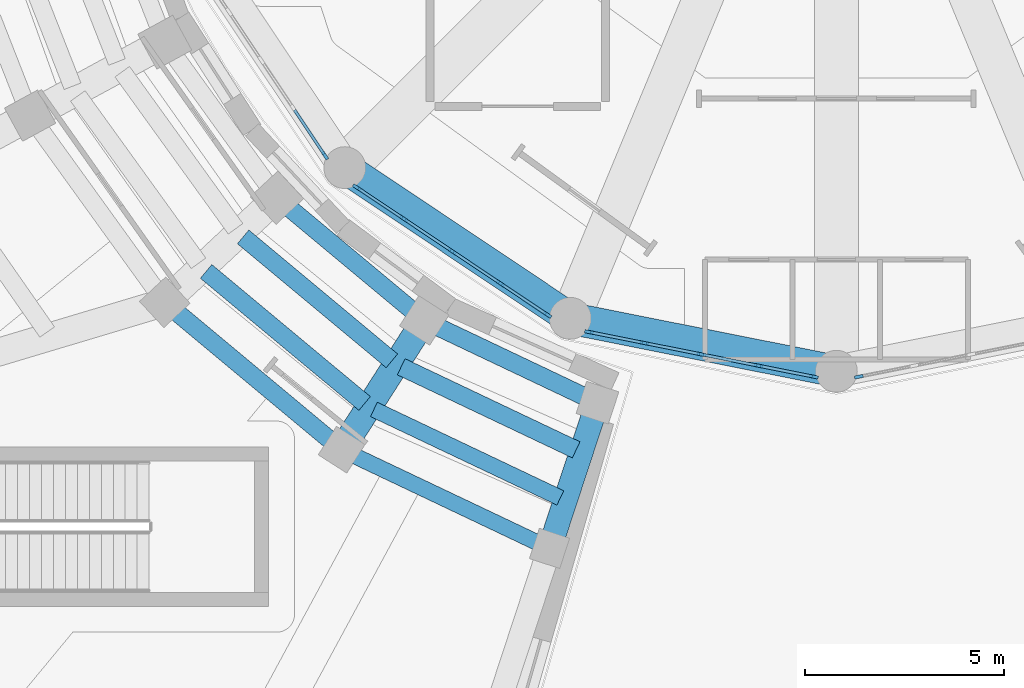
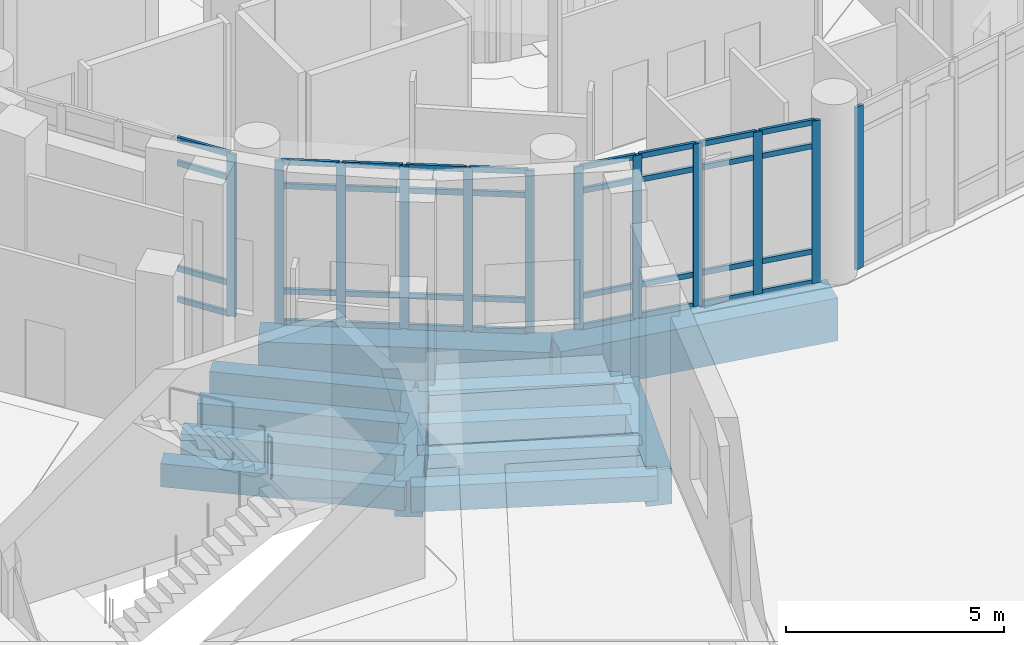
# One storey, part 13 of 74: 48 members, 12 beams, 4 elements without a shape of their own.
"""IFC4 building model written with IfcOpenShell, lengths in metres."""

from ifc_helpers import new_model, si_unit, direction, frame, origin, origin_2d, place, context, subcontext, project, spatial, rectangle, extrude, material, material_profile, profile_set, type_object, element, aggregate, save


model = new_model("IFC4")

# Units and contexts
model_context = context("Model", 3, precision=1e-05, world=origin(), true_north=direction((0.0, 1.0)))
body_context = subcontext(model_context, "Body", "Model", "MODEL_VIEW")
ifc_project = project(units=[si_unit("LENGTHUNIT", "METRE"), si_unit("AREAUNIT", "SQUARE_METRE"), si_unit("VOLUMEUNIT", "CUBIC_METRE"), si_unit("PLANEANGLEUNIT", "RADIAN"), si_unit("MASSUNIT", "GRAM", prefix="KILO")], contexts=[model_context])

# Site, building, storey
site_placement = place(None, origin())
site = spatial("IfcSite", under=ifc_project, at=site_placement, CompositionType="ELEMENT")
building_placement = place(site_placement, origin())
building = spatial("IfcBuilding", under=site, at=building_placement, Name="Soyqirgoq Riverine Aquarium", CompositionType="ELEMENT")
storey_placement = place(building_placement, origin())
storey = spatial("IfcBuildingStorey", under=building, at=storey_placement, Name="L01", CompositionType="ELEMENT", Elevation=0.0)

# Beams
ifc_material_1 = material(Name="Concrete C40/50", Category="concrete")
ifc_material_profile_1 = material_profile(ifc_material_1, rectangle(XDim=0.39990234375, YDim=0.699951171875, at=origin_2d()), Name="RC 400x700")
ifc_profile_set_1 = profile_set([ifc_material_profile_1], Name="Concrete C40/50")
beam_type_1 = type_object("IfcBeamType", Name="Beam_RC_400x700", PredefinedType="BEAM", material=ifc_profile_set_1)
beam_1_placement = place(storey_placement, frame((44.392333984375, 38.591796875, -0.699951171875), z_axis=(0.903330475339, -0.428945278939, 0.0), x_axis=(0.428945278939, 0.903330475339, 0.0)))
element("IfcBeam", 1, at=beam_1_placement, inside=storey, type_object=beam_type_1, Name="V2 L01 Secondary Floor Joist 0200", PredefinedType="BEAM", context=body_context, shape_type="SweptSolid", body=[
    extrude(rectangle(XDim=0.39990234375, YDim=0.699951171875, at=origin_2d()), origin(), (0.0, 0.0, 1.0), 5.179443359375),
])
beam_2_placement = place(storey_placement, frame((43.62646484375, 37.56005859375, -0.699951171875), z_axis=(0.903332071495, -0.428941917523, 0.0), x_axis=(0.428941917523, 0.903332071495, 0.0)))
element("IfcBeam", 2, at=beam_2_placement, inside=storey, type_object=beam_type_1, Name="V2 L01 Wedge Chord Beam 0204", PredefinedType="BEAM", context=body_context, shape_type="SweptSolid", body=[
    extrude(rectangle(XDim=0.39990234375, YDim=0.699951171875, at=origin_2d()), origin(), (0.0, 0.0, 1.0), 5.677978515625),
])
ifc_material_2 = material(Name="Concrete C40/50", Category="concrete")
ifc_material_profile_2 = material_profile(ifc_material_2, rectangle(XDim=0.449951171875, YDim=0.64990234375, at=origin_2d()), Name="RC 450x650")
ifc_profile_set_2 = profile_set([ifc_material_profile_2], Name="Concrete C40/50")
beam_type_2 = type_object("IfcBeamType", Name="Beam_RC_450x650", PredefinedType="BEAM", material=ifc_profile_set_2)
beam_3_placement = place(storey_placement, frame((45.70068359375, 40.803466796875, -0.675048828125), z_axis=(0.903338728756, -0.428927897356, 0.0), x_axis=(0.428927897356, 0.903338728756, 0.0)))
element("IfcBeam", 3, at=beam_3_placement, inside=storey, type_object=beam_type_2, Name="V2 L01 Wedge Chord Beam 0192", PredefinedType="BEAM", context=body_context, shape_type="SweptSolid", body=[
    extrude(rectangle(XDim=0.449951171875, YDim=0.64990234375, at=origin_2d()), origin(), (0.0, 0.0, 1.0), 4.712890625),
])
beam_4_placement = place(storey_placement, frame((40.178955078125, 42.056884765625, -0.675048828125), z_axis=(0.76827923127, -0.640114851257, 0.0), x_axis=(0.640114851257, 0.76827923127, 0.0)))
element("IfcBeam", 4, at=beam_4_placement, inside=storey, type_object=beam_type_2, Name="V2 L01 Secondary Floor Joist 0198", PredefinedType="BEAM", context=body_context, shape_type="SweptSolid", body=[
    extrude(rectangle(XDim=0.449951171875, YDim=0.64990234375, at=origin_2d()), origin(), (0.0, 0.0, 1.0), 5.179443359375),
])
beam_5_placement = place(storey_placement, frame((45.076904296875, 39.662109375, -0.675048828125), z_axis=(0.903323240937, -0.42896051378, 0.0), x_axis=(0.42896051378, 0.903323240937, 0.0)))
element("IfcBeam", 5, at=beam_5_placement, inside=storey, type_object=beam_type_2, Name="V2 L01 Secondary Floor Joist 0199", PredefinedType="BEAM", context=body_context, shape_type="SweptSolid", body=[
    extrude(rectangle(XDim=0.449951171875, YDim=0.64990234375, at=origin_2d()), origin(), (0.0, 0.0, 1.0), 4.861083984375),
])
beam_6_placement = place(storey_placement, frame((39.1806640625, 41.247802734375, -0.675048828125), z_axis=(0.768305861058, -0.640082888276, 0.0), x_axis=(0.640082888276, 0.768305861058, 0.0)))
element("IfcBeam", 6, at=beam_6_placement, inside=storey, type_object=beam_type_2, Name="V2 L01 Wedge Chord Beam 0203", PredefinedType="BEAM", context=body_context, shape_type="SweptSolid", body=[
    extrude(rectangle(XDim=0.449951171875, YDim=0.64990234375, at=origin_2d()), origin(), (0.0, 0.0, 1.0), 5.677734375),
])
ifc_material_3 = material(Name="Concrete C40/50", Category="concrete")
ifc_material_profile_3 = material_profile(ifc_material_3, rectangle(XDim=0.449951171875, YDim=0.699951171875, at=origin_2d()), Name="RC 450x700")
ifc_profile_set_3 = profile_set([ifc_material_profile_3], Name="Concrete C40/50")
beam_type_3 = type_object("IfcBeamType", Name="Beam_RC_450x700", PredefinedType="BEAM", material=ifc_profile_set_3)
beam_7_placement = place(storey_placement, frame((41.996337890625, 43.87353515625, -0.699951171875), z_axis=(0.768301951525, -0.640087580948, 0.0), x_axis=(0.640087580948, 0.768301951525, 0.0)))
element("IfcBeam", 7, at=beam_7_placement, inside=storey, type_object=beam_type_3, Name="V2 L01 Wedge Chord Beam 0191", PredefinedType="BEAM", context=body_context, shape_type="SweptSolid", body=[
    extrude(rectangle(XDim=0.449951171875, YDim=0.699951171875, at=origin_2d()), origin(), (0.0, 0.0, 1.0), 4.712890625),
])
beam_8_placement = place(storey_placement, frame((41.108154296875, 42.923095703125, -0.699951171875), z_axis=(0.76830772725, -0.640080648237, 0.0), x_axis=(0.640080648237, 0.76830772725, 0.0)))
element("IfcBeam", 8, at=beam_8_placement, inside=storey, type_object=beam_type_3, Name="V2 L01 Secondary Floor Joist 0197", PredefinedType="BEAM", context=body_context, shape_type="SweptSolid", body=[
    extrude(rectangle(XDim=0.449951171875, YDim=0.699951171875, at=origin_2d()), origin(), (0.0, 0.0, 1.0), 4.86083984375),
])

# Curtain wall, member
ifc_material_4 = material(Name="Anodised aluminium thermally broken triple low-E glazing", Category="aluminium")
curtain_wall_type = type_object("IfcCurtainWallType", Name="CW_DrumGallery_Unitised", PredefinedType="NOTDEFINED", material=ifc_material_4)
curtain_wall_1_placement = place(storey_placement, origin())
curtain_wall_1 = element("IfcCurtainWall", 9, at=curtain_wall_1_placement, inside=storey, type_object=curtain_wall_type, Name="V1 L01 Curtain Wall 034", PredefinedType="NOTDEFINED")
ifc_material_5 = material(Name="Anodised aluminium 6063-T6", Category="aluminium")
ifc_material_profile_4 = material_profile(ifc_material_5, rectangle(XDim=0.080078125, YDim=0.219970703125, at=origin_2d()), Name="ALU-M 80x220")
ifc_profile_set_4 = profile_set([ifc_material_profile_4], Name="Anodised aluminium 6063-T6")
member_type_1 = type_object("IfcMemberType", Name="CWMullion_80x220", PredefinedType="MULLION", material=ifc_profile_set_4)
member_1_placement = place(storey_placement, frame((43.164794921875, 44.962158203125, 0.0), z_axis=(0.0, 0.0, 1.0), x_axis=(0.831467275509, 0.555573730262, 0.0)))
member_1 = element("IfcMember", 10, at=member_1_placement, type_object=member_type_1, Name="CW-01 mullion 5", PredefinedType="MULLION", context=body_context, shape_type="SweptSolid", body=[
    extrude(rectangle(XDim=0.080078125, YDim=0.219970703125, at=origin_2d()), origin(), (0.0, 0.0, 1.0), 4.550048828125),
])

# Curtain wall, members
curtain_wall_2_placement = place(storey_placement, origin())
curtain_wall_2 = element("IfcCurtainWall", 11, at=curtain_wall_2_placement, inside=storey, type_object=curtain_wall_type, Name="V1 L01 Curtain Wall 041", PredefinedType="NOTDEFINED")
member_2_placement = place(storey_placement, frame((43.962158203125, 44.164794921875, 0.0), z_axis=(0.0, 0.0, 1.0), x_axis=(0.555573730262, 0.831467275509, 0.0)))
member_2 = element("IfcMember", 12, at=member_2_placement, type_object=member_type_1, Name="CW-01 mullion 1", PredefinedType="MULLION", context=body_context, shape_type="SweptSolid", body=[
    extrude(rectangle(XDim=0.080078125, YDim=0.219970703125, at=origin_2d()), origin(), (0.0, 0.0, 1.0), 4.550048828125),
])
member_3_placement = place(storey_placement, frame((45.14208984375, 43.37646484375, 0.0), z_axis=(0.0, 0.0, 1.0), x_axis=(0.555573730262, 0.831467275509, 0.0)))
member_3 = element("IfcMember", 13, at=member_3_placement, type_object=member_type_1, Name="CW-01 mullion 2", PredefinedType="MULLION", context=body_context, shape_type="SweptSolid", body=[
    extrude(rectangle(XDim=0.080078125, YDim=0.219970703125, at=origin_2d()), origin(), (0.0, 0.0, 1.0), 4.550048828125),
])
member_4_placement = place(storey_placement, frame((46.35546875, 42.565673828125, 0.0), z_axis=(0.0, 0.0, 1.0), x_axis=(0.555573730262, 0.831467275509, 0.0)))
member_4 = element("IfcMember", 14, at=member_4_placement, type_object=member_type_1, Name="CW-01 mullion 3", PredefinedType="MULLION", context=body_context, shape_type="SweptSolid", body=[
    extrude(rectangle(XDim=0.080078125, YDim=0.219970703125, at=origin_2d()), origin(), (0.0, 0.0, 1.0), 4.550048828125),
])
member_5_placement = place(storey_placement, frame((47.568603515625, 41.755126953125, 0.0), z_axis=(0.0, 0.0, 1.0), x_axis=(0.555573730262, 0.831467275509, 0.0)))
member_5 = element("IfcMember", 15, at=member_5_placement, type_object=member_type_1, Name="CW-01 mullion 4", PredefinedType="MULLION", context=body_context, shape_type="SweptSolid", body=[
    extrude(rectangle(XDim=0.080078125, YDim=0.219970703125, at=origin_2d()), origin(), (0.0, 0.0, 1.0), 4.550048828125),
])
member_6_placement = place(storey_placement, frame((48.74853515625, 40.966796875, 0.0), z_axis=(0.0, 0.0, 1.0), x_axis=(0.555573730262, 0.831467275509, 0.0)))
member_6 = element("IfcMember", 16, at=member_6_placement, type_object=member_type_1, Name="CW-01 mullion 5", PredefinedType="MULLION", context=body_context, shape_type="SweptSolid", body=[
    extrude(rectangle(XDim=0.080078125, YDim=0.219970703125, at=origin_2d()), origin(), (0.0, 0.0, 1.0), 4.550048828125),
])

curtain_wall_3_placement = place(storey_placement, origin())
curtain_wall_3 = element("IfcCurtainWall", 17, at=curtain_wall_3_placement, inside=storey, type_object=curtain_wall_type, Name="V1 L01 Curtain Wall 048", PredefinedType="NOTDEFINED")
member_7_placement = place(storey_placement, frame((49.79052734375, 40.53515625, 0.0), z_axis=(0.0, 0.0, 1.0), x_axis=(0.195074782196, 0.980788371338, 0.0)))
member_7 = element("IfcMember", 18, at=member_7_placement, type_object=member_type_1, Name="CW-01 mullion 1", PredefinedType="MULLION", context=body_context, shape_type="SweptSolid", body=[
    extrude(rectangle(XDim=0.080078125, YDim=0.219970703125, at=origin_2d()), origin(), (0.0, 0.0, 1.0), 4.550048828125),
])
member_8_placement = place(storey_placement, frame((51.18212890625, 40.25830078125, 0.0), z_axis=(0.0, 0.0, 1.0), x_axis=(0.195074782196, 0.980788371338, 0.0)))
member_8 = element("IfcMember", 19, at=member_8_placement, type_object=member_type_1, Name="CW-01 mullion 2", PredefinedType="MULLION", context=body_context, shape_type="SweptSolid", body=[
    extrude(rectangle(XDim=0.080078125, YDim=0.219970703125, at=origin_2d()), origin(), (0.0, 0.0, 1.0), 4.550048828125),
])
member_9_placement = place(storey_placement, frame((52.61328125, 39.9736328125, 0.0), z_axis=(0.0, 0.0, 1.0), x_axis=(0.195074782196, 0.980788371338, 0.0)))
member_9 = element("IfcMember", 20, at=member_9_placement, type_object=member_type_1, Name="CW-01 mullion 3", PredefinedType="MULLION", context=body_context, shape_type="SweptSolid", body=[
    extrude(rectangle(XDim=0.080078125, YDim=0.219970703125, at=origin_2d()), origin(), (0.0, 0.0, 1.0), 4.550048828125),
])
member_10_placement = place(storey_placement, frame((54.044189453125, 39.68896484375, 0.0), z_axis=(0.0, 0.0, 1.0), x_axis=(0.195074782196, 0.980788371338, 0.0)))
member_10 = element("IfcMember", 21, at=member_10_placement, type_object=member_type_1, Name="CW-01 mullion 4", PredefinedType="MULLION", context=body_context, shape_type="SweptSolid", body=[
    extrude(rectangle(XDim=0.080078125, YDim=0.219970703125, at=origin_2d()), origin(), (0.0, 0.0, 1.0), 4.550048828125),
])
member_11_placement = place(storey_placement, frame((55.43603515625, 39.412109375, 0.0), z_axis=(0.0, 0.0, 1.0), x_axis=(0.195074782196, 0.980788371338, 0.0)))
member_11 = element("IfcMember", 22, at=member_11_placement, type_object=member_type_1, Name="CW-01 mullion 5", PredefinedType="MULLION", context=body_context, shape_type="SweptSolid", body=[
    extrude(rectangle(XDim=0.080078125, YDim=0.219970703125, at=origin_2d()), origin(), (0.0, 0.0, 1.0), 4.550048828125),
])

# Curtain wall, member
curtain_wall_4_placement = place(storey_placement, origin())
curtain_wall_4 = element("IfcCurtainWall", 23, at=curtain_wall_4_placement, inside=storey, type_object=curtain_wall_type, Name="V1 L01 Curtain Wall 055", PredefinedType="NOTDEFINED")
member_12_placement = place(storey_placement, frame((56.56396484375, 39.412109375, 0.0), z_axis=(0.0, 0.0, 1.0), x_axis=(-0.195074782196, 0.980788371338, 0.0)))
member_12 = element("IfcMember", 24, at=member_12_placement, type_object=member_type_1, Name="CW-01 mullion 1", PredefinedType="MULLION", context=body_context, shape_type="SweptSolid", body=[
    extrude(rectangle(XDim=0.080078125, YDim=0.219970703125, at=origin_2d()), origin(), (0.0, 0.0, 1.0), 4.550048828125),
])
aggregate(curtain_wall_4, [member_12])

# Member
ifc_material_6 = material(Name="Anodised aluminium 6063-T6", Category="aluminium")
ifc_material_profile_5 = material_profile(ifc_material_6, rectangle(XDim=0.074951171875, YDim=0.14990234375, at=origin_2d()), Name="ALU-T 75x150")
ifc_profile_set_5 = profile_set([ifc_material_profile_5], Name="Anodised aluminium 6063-T6")
member_type_2 = type_object("IfcMemberType", Name="CWTransom_75x150", PredefinedType="USERDEFINED", material=ifc_profile_set_5)
member_13_placement = place(storey_placement, frame((42.398681640625, 46.10888671875, 0.03759765625), z_axis=(0.555583520837, -0.831460733513, 0.0), x_axis=(0.831460733513, 0.555583520837, 0.0)))
member_13 = element("IfcMember", 25, at=member_13_placement, type_object=member_type_2, Name="CW-01 transom 4.1", ObjectType="TRANSOM", PredefinedType="USERDEFINED", context=body_context, shape_type="SweptSolid", body=[
    extrude(rectangle(XDim=0.074951171875, YDim=0.14990234375, at=origin_2d()), origin(), (0.0, 0.0, 1.0), 1.3388671875),
])

member_14_placement = place(storey_placement, frame((42.398681640625, 46.10888671875, 0.89990234375), z_axis=(0.555583520837, -0.831460733513, 0.0), x_axis=(0.831460733513, 0.555583520837, 0.0)))
member_14 = element("IfcMember", 26, at=member_14_placement, type_object=member_type_2, Name="CW-01 transom 4.2", ObjectType="TRANSOM", PredefinedType="USERDEFINED", context=body_context, shape_type="SweptSolid", body=[
    extrude(rectangle(XDim=0.074951171875, YDim=0.14990234375, at=origin_2d()), origin(), (0.0, 0.0, 1.0), 1.3388671875),
])

member_15_placement = place(storey_placement, frame((42.398681640625, 46.10888671875, 3.85009765625), z_axis=(0.555583520837, -0.831460733513, 0.0), x_axis=(0.831460733513, 0.555583520837, 0.0)))
member_15 = element("IfcMember", 27, at=member_15_placement, type_object=member_type_2, Name="CW-01 transom 4.3", ObjectType="TRANSOM", PredefinedType="USERDEFINED", context=body_context, shape_type="SweptSolid", body=[
    extrude(rectangle(XDim=0.074951171875, YDim=0.14990234375, at=origin_2d()), origin(), (0.0, 0.0, 1.0), 1.3388671875),
])

member_16_placement = place(storey_placement, frame((42.398681640625, 46.10888671875, 4.512451171875), z_axis=(0.555583520837, -0.831460733513, 0.0), x_axis=(0.831460733513, 0.555583520837, 0.0)))
member_16 = element("IfcMember", 28, at=member_16_placement, type_object=member_type_2, Name="CW-01 transom 4.4", ObjectType="TRANSOM", PredefinedType="USERDEFINED", context=body_context, shape_type="SweptSolid", body=[
    extrude(rectangle(XDim=0.074951171875, YDim=0.14990234375, at=origin_2d()), origin(), (0.0, 0.0, 1.0), 1.3388671875),
])

aggregate(curtain_wall_1, [member_1, member_13, member_14, member_15, member_16])

member_17_placement = place(storey_placement, frame((43.99560546875, 44.142578125, 0.03759765625), z_axis=(0.831460733513, -0.555583520837, 0.0), x_axis=(0.555583520837, 0.831460733513, 0.0)))
member_17 = element("IfcMember", 29, at=member_17_placement, type_object=member_type_2, Name="CW-01 transom 1.1", ObjectType="TRANSOM", PredefinedType="USERDEFINED", context=body_context, shape_type="SweptSolid", body=[
    extrude(rectangle(XDim=0.074951171875, YDim=0.14990234375, at=origin_2d()), origin(), (0.0, 0.0, 1.0), 1.3388671875),
])

member_18_placement = place(storey_placement, frame((43.99560546875, 44.142578125, 0.89990234375), z_axis=(0.831460733513, -0.555583520837, 0.0), x_axis=(0.555583520837, 0.831460733513, 0.0)))
member_18 = element("IfcMember", 30, at=member_18_placement, type_object=member_type_2, Name="CW-01 transom 1.2", ObjectType="TRANSOM", PredefinedType="USERDEFINED", context=body_context, shape_type="SweptSolid", body=[
    extrude(rectangle(XDim=0.074951171875, YDim=0.14990234375, at=origin_2d()), origin(), (0.0, 0.0, 1.0), 1.3388671875),
])

member_19_placement = place(storey_placement, frame((43.99560546875, 44.142578125, 3.85009765625), z_axis=(0.831460733513, -0.555583520837, 0.0), x_axis=(0.555583520837, 0.831460733513, 0.0)))
member_19 = element("IfcMember", 31, at=member_19_placement, type_object=member_type_2, Name="CW-01 transom 1.3", ObjectType="TRANSOM", PredefinedType="USERDEFINED", context=body_context, shape_type="SweptSolid", body=[
    extrude(rectangle(XDim=0.074951171875, YDim=0.14990234375, at=origin_2d()), origin(), (0.0, 0.0, 1.0), 1.3388671875),
])

member_20_placement = place(storey_placement, frame((43.99560546875, 44.142578125, 4.512451171875), z_axis=(0.831460733513, -0.555583520837, 0.0), x_axis=(0.555583520837, 0.831460733513, 0.0)))
member_20 = element("IfcMember", 32, at=member_20_placement, type_object=member_type_2, Name="CW-01 transom 1.4", ObjectType="TRANSOM", PredefinedType="USERDEFINED", context=body_context, shape_type="SweptSolid", body=[
    extrude(rectangle(XDim=0.074951171875, YDim=0.14990234375, at=origin_2d()), origin(), (0.0, 0.0, 1.0), 1.3388671875),
])

member_21_placement = place(storey_placement, frame((45.175537109375, 43.354248046875, 0.03759765625), z_axis=(0.831368753456, -0.555721149297, 0.0), x_axis=(0.555721149297, 0.831368753456, 0.0)))
member_21 = element("IfcMember", 33, at=member_21_placement, type_object=member_type_2, Name="CW-01 transom 2.1", ObjectType="TRANSOM", PredefinedType="USERDEFINED", context=body_context, shape_type="SweptSolid", body=[
    extrude(rectangle(XDim=0.074951171875, YDim=0.14990234375, at=origin_2d()), origin(), (0.0, 0.0, 1.0), 1.379150390625),
])

member_22_placement = place(storey_placement, frame((45.175537109375, 43.354248046875, 0.89990234375), z_axis=(0.831368753456, -0.555721149297, 0.0), x_axis=(0.555721149297, 0.831368753456, 0.0)))
member_22 = element("IfcMember", 34, at=member_22_placement, type_object=member_type_2, Name="CW-01 transom 2.2", ObjectType="TRANSOM", PredefinedType="USERDEFINED", context=body_context, shape_type="SweptSolid", body=[
    extrude(rectangle(XDim=0.074951171875, YDim=0.14990234375, at=origin_2d()), origin(), (0.0, 0.0, 1.0), 1.379150390625),
])

member_23_placement = place(storey_placement, frame((45.175537109375, 43.354248046875, 3.85009765625), z_axis=(0.831368753456, -0.555721149297, 0.0), x_axis=(0.555721149297, 0.831368753456, 0.0)))
member_23 = element("IfcMember", 35, at=member_23_placement, type_object=member_type_2, Name="CW-01 transom 2.3", ObjectType="TRANSOM", PredefinedType="USERDEFINED", context=body_context, shape_type="SweptSolid", body=[
    extrude(rectangle(XDim=0.074951171875, YDim=0.14990234375, at=origin_2d()), origin(), (0.0, 0.0, 1.0), 1.379150390625),
])

member_24_placement = place(storey_placement, frame((45.175537109375, 43.354248046875, 4.512451171875), z_axis=(0.831368753456, -0.555721149297, 0.0), x_axis=(0.555721149297, 0.831368753456, 0.0)))
member_24 = element("IfcMember", 36, at=member_24_placement, type_object=member_type_2, Name="CW-01 transom 2.4", ObjectType="TRANSOM", PredefinedType="USERDEFINED", context=body_context, shape_type="SweptSolid", body=[
    extrude(rectangle(XDim=0.074951171875, YDim=0.14990234375, at=origin_2d()), origin(), (0.0, 0.0, 1.0), 1.379150390625),
])

member_25_placement = place(storey_placement, frame((46.388671875, 42.54345703125, 0.03759765625), z_axis=(0.831450545515, -0.555598767424, 0.0), x_axis=(0.555598767424, 0.831450545515, 0.0)))
member_25 = element("IfcMember", 37, at=member_25_placement, type_object=member_type_2, Name="CW-01 transom 3.1", ObjectType="TRANSOM", PredefinedType="USERDEFINED", context=body_context, shape_type="SweptSolid", body=[
    extrude(rectangle(XDim=0.074951171875, YDim=0.14990234375, at=origin_2d()), origin(), (0.0, 0.0, 1.0), 1.37890625),
])

member_26_placement = place(storey_placement, frame((46.388671875, 42.54345703125, 0.89990234375), z_axis=(0.831450545515, -0.555598767424, 0.0), x_axis=(0.555598767424, 0.831450545515, 0.0)))
member_26 = element("IfcMember", 38, at=member_26_placement, type_object=member_type_2, Name="CW-01 transom 3.2", ObjectType="TRANSOM", PredefinedType="USERDEFINED", context=body_context, shape_type="SweptSolid", body=[
    extrude(rectangle(XDim=0.074951171875, YDim=0.14990234375, at=origin_2d()), origin(), (0.0, 0.0, 1.0), 1.37890625),
])

member_27_placement = place(storey_placement, frame((46.388671875, 42.54345703125, 3.85009765625), z_axis=(0.831450545515, -0.555598767424, 0.0), x_axis=(0.555598767424, 0.831450545515, 0.0)))
member_27 = element("IfcMember", 39, at=member_27_placement, type_object=member_type_2, Name="CW-01 transom 3.3", ObjectType="TRANSOM", PredefinedType="USERDEFINED", context=body_context, shape_type="SweptSolid", body=[
    extrude(rectangle(XDim=0.074951171875, YDim=0.14990234375, at=origin_2d()), origin(), (0.0, 0.0, 1.0), 1.37890625),
])

member_28_placement = place(storey_placement, frame((46.388671875, 42.54345703125, 4.512451171875), z_axis=(0.831450545515, -0.555598767424, 0.0), x_axis=(0.555598767424, 0.831450545515, 0.0)))
member_28 = element("IfcMember", 40, at=member_28_placement, type_object=member_type_2, Name="CW-01 transom 3.4", ObjectType="TRANSOM", PredefinedType="USERDEFINED", context=body_context, shape_type="SweptSolid", body=[
    extrude(rectangle(XDim=0.074951171875, YDim=0.14990234375, at=origin_2d()), origin(), (0.0, 0.0, 1.0), 1.37890625),
])

member_29_placement = place(storey_placement, frame((47.601806640625, 41.73291015625, 0.03759765625), z_axis=(0.831460733513, -0.555583520837, 0.0), x_axis=(0.555583520837, 0.831460733513, 0.0)))
member_29 = element("IfcMember", 41, at=member_29_placement, type_object=member_type_2, Name="CW-01 transom 4.1", ObjectType="TRANSOM", PredefinedType="USERDEFINED", context=body_context, shape_type="SweptSolid", body=[
    extrude(rectangle(XDim=0.074951171875, YDim=0.14990234375, at=origin_2d()), origin(), (0.0, 0.0, 1.0), 1.3388671875),
])

member_30_placement = place(storey_placement, frame((47.601806640625, 41.73291015625, 0.89990234375), z_axis=(0.831460733513, -0.555583520837, 0.0), x_axis=(0.555583520837, 0.831460733513, 0.0)))
member_30 = element("IfcMember", 42, at=member_30_placement, type_object=member_type_2, Name="CW-01 transom 4.2", ObjectType="TRANSOM", PredefinedType="USERDEFINED", context=body_context, shape_type="SweptSolid", body=[
    extrude(rectangle(XDim=0.074951171875, YDim=0.14990234375, at=origin_2d()), origin(), (0.0, 0.0, 1.0), 1.3388671875),
])

member_31_placement = place(storey_placement, frame((47.601806640625, 41.73291015625, 3.85009765625), z_axis=(0.831460733513, -0.555583520837, 0.0), x_axis=(0.555583520837, 0.831460733513, 0.0)))
member_31 = element("IfcMember", 43, at=member_31_placement, type_object=member_type_2, Name="CW-01 transom 4.3", ObjectType="TRANSOM", PredefinedType="USERDEFINED", context=body_context, shape_type="SweptSolid", body=[
    extrude(rectangle(XDim=0.074951171875, YDim=0.14990234375, at=origin_2d()), origin(), (0.0, 0.0, 1.0), 1.3388671875),
])

member_32_placement = place(storey_placement, frame((47.601806640625, 41.73291015625, 4.512451171875), z_axis=(0.831460733513, -0.555583520837, 0.0), x_axis=(0.555583520837, 0.831460733513, 0.0)))
member_32 = element("IfcMember", 44, at=member_32_placement, type_object=member_type_2, Name="CW-01 transom 4.4", ObjectType="TRANSOM", PredefinedType="USERDEFINED", context=body_context, shape_type="SweptSolid", body=[
    extrude(rectangle(XDim=0.074951171875, YDim=0.14990234375, at=origin_2d()), origin(), (0.0, 0.0, 1.0), 1.3388671875),
])

aggregate(curtain_wall_2, [member_2, member_3, member_4, member_5, member_6, member_17, member_18, member_19, member_20, member_21, member_22, member_23, member_24, member_25, member_26, member_27, member_28, member_29, member_30, member_31, member_32])

member_33_placement = place(storey_placement, frame((49.82958984375, 40.52734375, 0.03759765625), z_axis=(0.980790461334, -0.195064273909, 0.0), x_axis=(0.195064273909, 0.980790461334, 0.0)))
member_33 = element("IfcMember", 45, at=member_33_placement, type_object=member_type_2, Name="CW-01 transom 1.1", ObjectType="TRANSOM", PredefinedType="USERDEFINED", context=body_context, shape_type="SweptSolid", body=[
    extrude(rectangle(XDim=0.074951171875, YDim=0.14990234375, at=origin_2d()), origin(), (0.0, 0.0, 1.0), 1.339111328125),
])

member_34_placement = place(storey_placement, frame((49.82958984375, 40.52734375, 0.89990234375), z_axis=(0.980790461334, -0.195064273909, 0.0), x_axis=(0.195064273909, 0.980790461334, 0.0)))
member_34 = element("IfcMember", 46, at=member_34_placement, type_object=member_type_2, Name="CW-01 transom 1.2", ObjectType="TRANSOM", PredefinedType="USERDEFINED", context=body_context, shape_type="SweptSolid", body=[
    extrude(rectangle(XDim=0.074951171875, YDim=0.14990234375, at=origin_2d()), origin(), (0.0, 0.0, 1.0), 1.339111328125),
])

member_35_placement = place(storey_placement, frame((49.82958984375, 40.52734375, 3.85009765625), z_axis=(0.980790461334, -0.195064273909, 0.0), x_axis=(0.195064273909, 0.980790461334, 0.0)))
member_35 = element("IfcMember", 47, at=member_35_placement, type_object=member_type_2, Name="CW-01 transom 1.3", ObjectType="TRANSOM", PredefinedType="USERDEFINED", context=body_context, shape_type="SweptSolid", body=[
    extrude(rectangle(XDim=0.074951171875, YDim=0.14990234375, at=origin_2d()), origin(), (0.0, 0.0, 1.0), 1.339111328125),
])

member_36_placement = place(storey_placement, frame((49.82958984375, 40.52734375, 4.512451171875), z_axis=(0.980790461334, -0.195064273909, 0.0), x_axis=(0.195064273909, 0.980790461334, 0.0)))
member_36 = element("IfcMember", 48, at=member_36_placement, type_object=member_type_2, Name="CW-01 transom 1.4", ObjectType="TRANSOM", PredefinedType="USERDEFINED", context=body_context, shape_type="SweptSolid", body=[
    extrude(rectangle(XDim=0.074951171875, YDim=0.14990234375, at=origin_2d()), origin(), (0.0, 0.0, 1.0), 1.339111328125),
])

member_37_placement = place(storey_placement, frame((51.221435546875, 40.25048828125, 0.03759765625), z_axis=(0.98078441711, -0.195094662032, 0.0), x_axis=(0.195094662032, 0.98078441711, 0.0)))
member_37 = element("IfcMember", 49, at=member_37_placement, type_object=member_type_2, Name="CW-01 transom 2.1", ObjectType="TRANSOM", PredefinedType="USERDEFINED", context=body_context, shape_type="SweptSolid", body=[
    extrude(rectangle(XDim=0.074951171875, YDim=0.14990234375, at=origin_2d()), origin(), (0.0, 0.0, 1.0), 1.379150390625),
])

member_38_placement = place(storey_placement, frame((51.221435546875, 40.25048828125, 0.89990234375), z_axis=(0.98078441711, -0.195094662032, 0.0), x_axis=(0.195094662032, 0.98078441711, 0.0)))
member_38 = element("IfcMember", 50, at=member_38_placement, type_object=member_type_2, Name="CW-01 transom 2.2", ObjectType="TRANSOM", PredefinedType="USERDEFINED", context=body_context, shape_type="SweptSolid", body=[
    extrude(rectangle(XDim=0.074951171875, YDim=0.14990234375, at=origin_2d()), origin(), (0.0, 0.0, 1.0), 1.379150390625),
])

member_39_placement = place(storey_placement, frame((51.221435546875, 40.25048828125, 3.85009765625), z_axis=(0.98078441711, -0.195094662032, 0.0), x_axis=(0.195094662032, 0.98078441711, 0.0)))
member_39 = element("IfcMember", 51, at=member_39_placement, type_object=member_type_2, Name="CW-01 transom 2.3", ObjectType="TRANSOM", PredefinedType="USERDEFINED", context=body_context, shape_type="SweptSolid", body=[
    extrude(rectangle(XDim=0.074951171875, YDim=0.14990234375, at=origin_2d()), origin(), (0.0, 0.0, 1.0), 1.379150390625),
])

member_40_placement = place(storey_placement, frame((51.221435546875, 40.25048828125, 4.512451171875), z_axis=(0.98078441711, -0.195094662032, 0.0), x_axis=(0.195094662032, 0.98078441711, 0.0)))
member_40 = element("IfcMember", 52, at=member_40_placement, type_object=member_type_2, Name="CW-01 transom 2.4", ObjectType="TRANSOM", PredefinedType="USERDEFINED", context=body_context, shape_type="SweptSolid", body=[
    extrude(rectangle(XDim=0.074951171875, YDim=0.14990234375, at=origin_2d()), origin(), (0.0, 0.0, 1.0), 1.379150390625),
])

member_41_placement = place(storey_placement, frame((52.652587890625, 39.9658203125, 0.03759765625), z_axis=(0.98078441711, -0.195094662032, 0.0), x_axis=(0.195094662032, 0.98078441711, 0.0)))
member_41 = element("IfcMember", 53, at=member_41_placement, type_object=member_type_2, Name="CW-01 transom 3.1", ObjectType="TRANSOM", PredefinedType="USERDEFINED", context=body_context, shape_type="SweptSolid", body=[
    extrude(rectangle(XDim=0.074951171875, YDim=0.14990234375, at=origin_2d()), origin(), (0.0, 0.0, 1.0), 1.379150390625),
])

member_42_placement = place(storey_placement, frame((52.652587890625, 39.9658203125, 0.89990234375), z_axis=(0.98078441711, -0.195094662032, 0.0), x_axis=(0.195094662032, 0.98078441711, 0.0)))
member_42 = element("IfcMember", 54, at=member_42_placement, type_object=member_type_2, Name="CW-01 transom 3.2", ObjectType="TRANSOM", PredefinedType="USERDEFINED", context=body_context, shape_type="SweptSolid", body=[
    extrude(rectangle(XDim=0.074951171875, YDim=0.14990234375, at=origin_2d()), origin(), (0.0, 0.0, 1.0), 1.379150390625),
])

member_43_placement = place(storey_placement, frame((52.652587890625, 39.9658203125, 3.85009765625), z_axis=(0.98078441711, -0.195094662032, 0.0), x_axis=(0.195094662032, 0.98078441711, 0.0)))
member_43 = element("IfcMember", 55, at=member_43_placement, type_object=member_type_2, Name="CW-01 transom 3.3", ObjectType="TRANSOM", PredefinedType="USERDEFINED", context=body_context, shape_type="SweptSolid", body=[
    extrude(rectangle(XDim=0.074951171875, YDim=0.14990234375, at=origin_2d()), origin(), (0.0, 0.0, 1.0), 1.379150390625),
])

member_44_placement = place(storey_placement, frame((52.652587890625, 39.9658203125, 4.512451171875), z_axis=(0.98078441711, -0.195094662032, 0.0), x_axis=(0.195094662032, 0.98078441711, 0.0)))
member_44 = element("IfcMember", 56, at=member_44_placement, type_object=member_type_2, Name="CW-01 transom 3.4", ObjectType="TRANSOM", PredefinedType="USERDEFINED", context=body_context, shape_type="SweptSolid", body=[
    extrude(rectangle(XDim=0.074951171875, YDim=0.14990234375, at=origin_2d()), origin(), (0.0, 0.0, 1.0), 1.379150390625),
])

member_45_placement = place(storey_placement, frame((54.08349609375, 39.68115234375, 0.03759765625), z_axis=(0.980783522829, -0.19509915773, 0.0), x_axis=(0.19509915773, 0.980783522829, 0.0)))
member_45 = element("IfcMember", 57, at=member_45_placement, type_object=member_type_2, Name="CW-01 transom 4.1", ObjectType="TRANSOM", PredefinedType="USERDEFINED", context=body_context, shape_type="SweptSolid", body=[
    extrude(rectangle(XDim=0.074951171875, YDim=0.14990234375, at=origin_2d()), origin(), (0.0, 0.0, 1.0), 1.3388671875),
])

member_46_placement = place(storey_placement, frame((54.08349609375, 39.68115234375, 0.89990234375), z_axis=(0.980783522829, -0.19509915773, 0.0), x_axis=(0.19509915773, 0.980783522829, 0.0)))
member_46 = element("IfcMember", 58, at=member_46_placement, type_object=member_type_2, Name="CW-01 transom 4.2", ObjectType="TRANSOM", PredefinedType="USERDEFINED", context=body_context, shape_type="SweptSolid", body=[
    extrude(rectangle(XDim=0.074951171875, YDim=0.14990234375, at=origin_2d()), origin(), (0.0, 0.0, 1.0), 1.3388671875),
])

member_47_placement = place(storey_placement, frame((54.08349609375, 39.68115234375, 3.85009765625), z_axis=(0.980783522829, -0.19509915773, 0.0), x_axis=(0.19509915773, 0.980783522829, 0.0)))
member_47 = element("IfcMember", 59, at=member_47_placement, type_object=member_type_2, Name="CW-01 transom 4.3", ObjectType="TRANSOM", PredefinedType="USERDEFINED", context=body_context, shape_type="SweptSolid", body=[
    extrude(rectangle(XDim=0.074951171875, YDim=0.14990234375, at=origin_2d()), origin(), (0.0, 0.0, 1.0), 1.3388671875),
])

member_48_placement = place(storey_placement, frame((54.08349609375, 39.68115234375, 4.512451171875), z_axis=(0.980783522829, -0.19509915773, 0.0), x_axis=(0.19509915773, 0.980783522829, 0.0)))
member_48 = element("IfcMember", 60, at=member_48_placement, type_object=member_type_2, Name="CW-01 transom 4.4", ObjectType="TRANSOM", PredefinedType="USERDEFINED", context=body_context, shape_type="SweptSolid", body=[
    extrude(rectangle(XDim=0.074951171875, YDim=0.14990234375, at=origin_2d()), origin(), (0.0, 0.0, 1.0), 1.3388671875),
])

aggregate(curtain_wall_3, [member_7, member_8, member_9, member_10, member_11, member_33, member_34, member_35, member_36, member_37, member_38, member_39, member_40, member_41, member_42, member_43, member_44, member_45, member_46, member_47, member_48])

# Beams
ifc_material_7 = material(Name="Concrete C40/50", Category="concrete")
ifc_material_profile_6 = material_profile(ifc_material_7, rectangle(XDim=0.60009765625, YDim=1.0, at=origin_2d()), Name="RC 600x1000")
ifc_profile_set_6 = profile_set([ifc_material_profile_6], Name="Concrete C40/50")
beam_type_4 = type_object("IfcBeamType", Name="Girder_RC_600x1000", PredefinedType="BEAM", material=ifc_profile_set_6)
beam_9_placement = place(storey_placement, frame((49.987548828125, 38.712890625, -0.85009765625), z_axis=(-0.3123186603, -0.949977396799, 0.0), x_axis=(0.949977396799, -0.3123186603, 0.0)))
element("IfcBeam", 61, at=beam_9_placement, inside=storey, type_object=beam_type_4, Name="V2 L01 Wedge Radial Girder 0185", PredefinedType="BEAM", context=body_context, shape_type="SweptSolid", body=[
    extrude(rectangle(XDim=0.60009765625, YDim=1.0, at=origin_2d()), origin(), (0.0, 0.0, 1.0), 3.749755859375),
])
ifc_material_8 = material(Name="Concrete C40/50", Category="concrete")
ifc_material_profile_7 = material_profile(ifc_material_8, rectangle(XDim=0.64990234375, YDim=1.0, at=origin_2d()), Name="RC 650x1000")
ifc_profile_set_7 = profile_set([ifc_material_profile_7], Name="Concrete C40/50")
beam_type_5 = type_object("IfcBeamType", Name="Girder_RC_650x1000", PredefinedType="BEAM", material=ifc_profile_set_7)
beam_10_placement = place(storey_placement, frame((45.628662109375, 40.78271484375, -0.85009765625), z_axis=(-0.53879503128, -0.842436890377, 0.0), x_axis=(0.842436890377, -0.53879503128, 0.0)))
element("IfcBeam", 62, at=beam_10_placement, inside=storey, type_object=beam_type_5, Name="V2 L01 Wedge Radial Girder 0182", PredefinedType="BEAM", context=body_context, shape_type="SweptSolid", body=[
    extrude(rectangle(XDim=0.64990234375, YDim=1.0, at=origin_2d()), origin(), (0.0, 0.0, 1.0), 3.75),
])
ifc_material_9 = material(Name="Concrete C40/50", Category="concrete")
ifc_material_profile_8 = material_profile(ifc_material_9, rectangle(XDim=0.800048828125, YDim=1.199951171875, at=origin_2d()), Name="RC 800x1200")
ifc_profile_set_8 = profile_set([ifc_material_profile_8], Name="Concrete C40/50")
beam_type_6 = type_object("IfcBeamType", Name="Girder_RC_800x1200", PredefinedType="BEAM", material=ifc_profile_set_8)
beam_11_placement = place(storey_placement, frame((43.70263671875, 44.63330078125, -1.050048828125), z_axis=(0.831450738832, -0.555598478126, 0.0), x_axis=(0.555598478126, 0.831450738832, 0.0)))
element("IfcBeam", 63, at=beam_11_placement, inside=storey, type_object=beam_type_6, Name="V1 L01 Drum Ring Girder 0018", PredefinedType="BEAM", context=body_context, shape_type="SweptSolid", body=[
    extrude(rectangle(XDim=0.800048828125, YDim=1.199951171875, at=origin_2d()), origin(), (0.0, 0.0, 1.0), 6.70849609375),
])
beam_12_placement = place(storey_placement, frame((49.37109375, 40.868408203125, -1.050048828125), z_axis=(0.980791457792, -0.195059263618, 0.0), x_axis=(0.195059263618, 0.980791457792, 0.0)))
element("IfcBeam", 64, at=beam_12_placement, inside=storey, type_object=beam_type_6, Name="V1 L01 Drum Ring Girder 0020", PredefinedType="BEAM", context=body_context, shape_type="SweptSolid", body=[
    extrude(rectangle(XDim=0.800048828125, YDim=1.199951171875, at=origin_2d()), origin(), (0.0, 0.0, 1.0), 6.708740234375),
])

save(model, "model.ifc")
